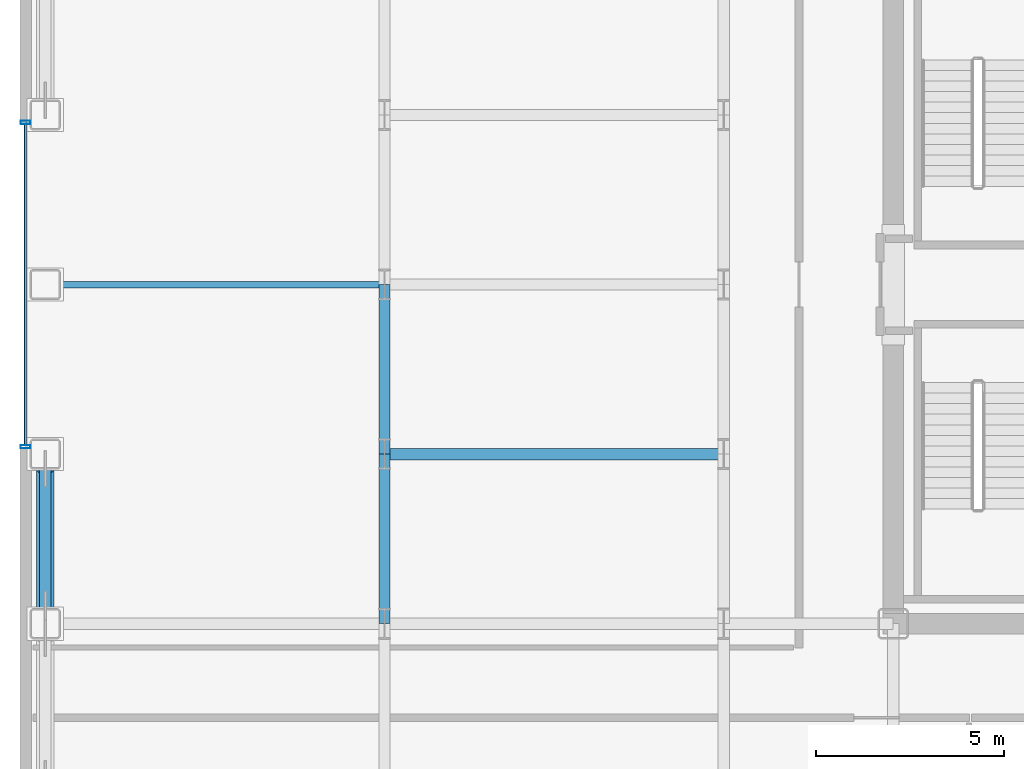
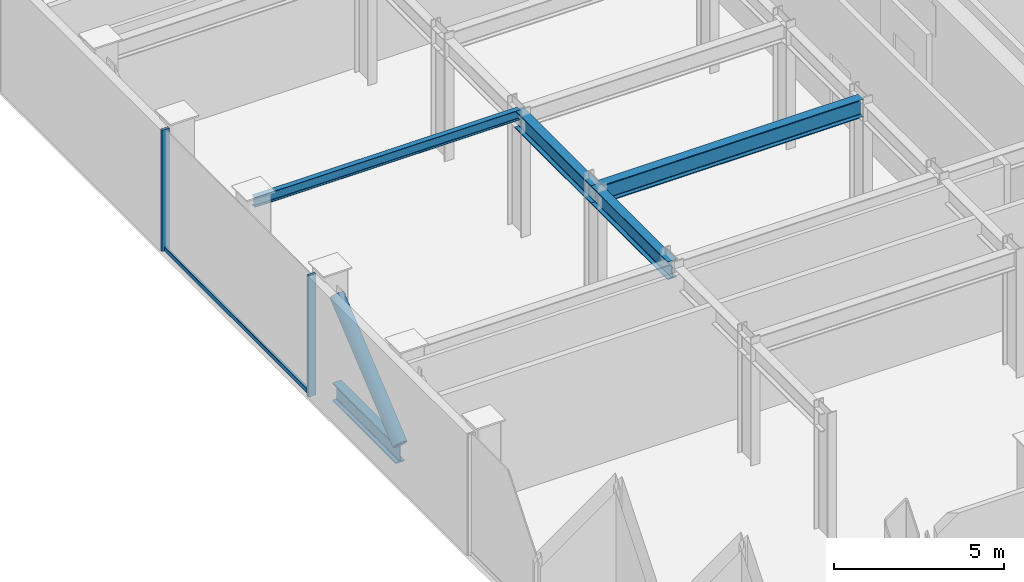
# One storey, part 6 of 26: 5 members, 4 beams, 1 element without a shape of its own.
"""IFC4 building model written with IfcOpenShell, lengths in metres."""

from ifc_helpers import new_model, si_unit, direction, frame, origin, origin_2d, place, context, subcontext, project, spatial, hollow_rectangle, hollow_circle, i_section, extrude, source, transform, mapped, material, layer, layer_set, material_profile, profile_set, type_object, element, aggregate, save


model = new_model("IFC4")

# Units and contexts
model_context = context("Model", 3, precision=1e-05, world=origin(), true_north=direction((0.0, 1.0)))
body_context = subcontext(model_context, "Body", "Model", "MODEL_VIEW")
ifc_project = project(units=[si_unit("LENGTHUNIT", "METRE"), si_unit("AREAUNIT", "SQUARE_METRE"), si_unit("VOLUMEUNIT", "CUBIC_METRE"), si_unit("PLANEANGLEUNIT", "RADIAN"), si_unit("MASSUNIT", "GRAM", prefix="KILO")], contexts=[model_context])

# Site, building, storey
site_placement = place(None, origin())
site = spatial("IfcSite", under=ifc_project, at=site_placement, CompositionType="ELEMENT")
building_placement = place(site_placement, origin())
building = spatial("IfcBuilding", under=site, at=building_placement, Name="Nefas-Gora Pilgrimage Tower", CompositionType="ELEMENT")
storey_placement = place(building_placement, frame((0.0, 0.0, 202.0)))
storey = spatial("IfcBuildingStorey", under=building, at=storey_placement, Name="L50", CompositionType="ELEMENT", Elevation=202.0)

# Beams
ifc_material_1 = material(Name="Steel S355", Category="steel")
ifc_material_profile_1 = material_profile(ifc_material_1, i_section(OverallWidth=0.300048828125, OverallDepth=0.64990234375, WebThickness=0.01611328125, FlangeThickness=0.031005859375, FilletRadius=0.027099609375, at=origin_2d()), Name="HEB 650")
ifc_profile_set_1 = profile_set([ifc_material_profile_1], Name="Steel S355")
beam_type_1 = type_object("IfcBeamType", Name="BM-GIR-HEB650", PredefinedType="BEAM", material=ifc_profile_set_1)
shared_shape_1 = source(origin(), body_context, "Body", "SweptSolid", [
    extrude(i_section(OverallWidth=0.300048828125, OverallDepth=0.64990234375, WebThickness=0.01611328125, FlangeThickness=0.031005859375, FilletRadius=0.027099609375, at=origin_2d()), origin(), (0.0, 0.0, 1.0), 9.0),
])
beam_1_placement = place(storey_placement, frame((-24.75, -4.5, 4.02490234375), z_axis=(1.0, 0.0, 0.0), x_axis=(0.0, 1.0, 0.0)))
element("IfcBeam", 1, at=beam_1_placement, inside=storey, type_object=beam_type_1, Name="L50 G-03 beam", PredefinedType="BEAM", context=body_context, shape_type="MappedRepresentation", body=[
    mapped(shared_shape_1, transform((0.0, 0.0, 0.0), x_axis=(1.0, 0.0, 0.0), y_axis=(0.0, 1.0, 0.0), z_axis=(0.0, 0.0, 1.0), scale=1.0)),
])
shared_shape_2 = source(origin(), body_context, "Body", "SweptSolid", [
    extrude(i_section(OverallWidth=0.300048828125, OverallDepth=0.64990234375, WebThickness=0.01611328125, FlangeThickness=0.031005859375, FilletRadius=0.027099609375, at=origin_2d()), origin(), (0.0, 0.0, 1.0), 4.5),
])
for number, where, z_axis, x_axis, name in (
    (2, (-24.75, -9.0, 4.02490234375), (0.0, 1.0, 0.0), (-1.0, 0.0, 0.0), "L50 G-03 beam"),
    (3, (-24.75, -4.5, 4.02490234375), (0.0, 1.0, 0.0), (-1.0, 0.0, 0.0), "L50 G-03 beam"),
):
    element("IfcBeam", number, at=place(storey_placement, frame(where, z_axis=z_axis, x_axis=x_axis)), inside=storey, type_object=beam_type_1, Name=name, PredefinedType="BEAM", context=body_context, shape_type="MappedRepresentation", body=[
        mapped(shared_shape_2, transform((0.0, 0.0, 0.0), x_axis=(1.0, 0.0, 0.0), y_axis=(0.0, 1.0, 0.0), z_axis=(0.0, 0.0, 1.0), scale=1.0)),
    ])
ifc_material_profile_2 = material_profile(ifc_material_1, i_section(OverallWidth=0.169921875, OverallDepth=0.360107421875, WebThickness=0.008056640625, FlangeThickness=0.0126953125, FilletRadius=0.01806640625, at=origin_2d()), Name="IPE 360")
ifc_profile_set_2 = profile_set([ifc_material_profile_2], Name="Steel S355")
beam_type_2 = type_object("IfcBeamType", Name="BM-JST-IPE360", PredefinedType="JOIST", material=ifc_profile_set_2)
shared_shape_3 = source(origin(), body_context, "Body", "SweptSolid", [
    extrude(i_section(OverallWidth=0.169921875, OverallDepth=0.360107421875, WebThickness=0.008056640625, FlangeThickness=0.0126953125, FilletRadius=0.01806640625, at=origin_2d()), origin(), (0.0, 0.0, 1.0), 9.0),
])
beam_2_placement = place(storey_placement, frame((-33.75, 0.0, 4.169921875), z_axis=(1.0, 0.0, 0.0), x_axis=(0.0, 1.0, 0.0)))
element("IfcBeam", 4, at=beam_2_placement, inside=storey, type_object=beam_type_2, Name="L50 J-03 beam", PredefinedType="JOIST", context=body_context, shape_type="MappedRepresentation", body=[
    mapped(shared_shape_3, transform((0.0, 0.0, 0.0), x_axis=(1.0, 0.0, 0.0), y_axis=(0.0, 1.0, 0.0), z_axis=(0.0, 0.0, 1.0), scale=1.0)),
])

# Members
ifc_material_2 = material(Name="Steel S460", Category="steel")
ifc_material_profile_3 = material_profile(ifc_material_2, hollow_circle(Radius=0.228515625, WallThickness=0.028076171875, at=origin_2d()), Name="CHS 457x28")
ifc_profile_set_3 = profile_set([ifc_material_profile_3], Name="Steel S460")
member_type_1 = type_object("IfcMemberType", Name="MEM-BELT-457", PredefinedType="BRACE", material=ifc_profile_set_3)
shared_shape_4 = source(origin(), body_context, "Body", "SweptSolid", [
    extrude(hollow_circle(Radius=0.228515625, WallThickness=0.028076171875, at=origin_2d()), origin(), (0.0, 0.0, 1.0), 4.84765625),
])
member_1_placement = place(storey_placement, frame((-33.75, -8.612060546875, 0.67333984375), z_axis=(0.0, 0.768237791814, 0.640164584485), x_axis=(-1.0, 0.0, 0.0)))
element("IfcMember", 5, at=member_1_placement, inside=storey, type_object=member_type_1, Name="L50 Perimeter Belt-Truss Diagonal 2", PredefinedType="BRACE", context=body_context, shape_type="MappedRepresentation", body=[
    mapped(shared_shape_4, transform((0.0, 0.0, 0.0), x_axis=(1.0, 0.0, 0.0), y_axis=(0.0, 1.0, 0.0), z_axis=(0.0, 0.0, 1.0), scale=1.0)),
])
ifc_material_profile_4 = material_profile(ifc_material_2, i_section(OverallWidth=0.300048828125, OverallDepth=0.64990234375, WebThickness=0.01611328125, FlangeThickness=0.031005859375, FilletRadius=0.027099609375, at=origin_2d()), Name="HEB 650")
ifc_profile_set_4 = profile_set([ifc_material_profile_4], Name="Steel S460")
member_type_2 = type_object("IfcMemberType", Name="MEM-BELT-CHORD", PredefinedType="CHORD", material=ifc_profile_set_4)
shared_shape_5 = source(origin(), body_context, "Body", "SweptSolid", [
    extrude(i_section(OverallWidth=0.300048828125, OverallDepth=0.64990234375, WebThickness=0.01611328125, FlangeThickness=0.031005859375, FilletRadius=0.027099609375, at=origin_2d()), origin(), (0.0, 0.0, 1.0), 3.72412109375),
])
member_2_placement = place(storey_placement, frame((-33.75, -8.612060546875, 0.35009765625), z_axis=(0.0, 1.0, 0.0), x_axis=(-1.0, 0.0, 0.0)))
element("IfcMember", 6, at=member_2_placement, inside=storey, type_object=member_type_2, Name="L50 Perimeter Belt-Truss Bottom Chord 2", PredefinedType="CHORD", context=body_context, shape_type="MappedRepresentation", body=[
    mapped(shared_shape_5, transform((0.0, 0.0, 0.0), x_axis=(1.0, 0.0, 0.0), y_axis=(0.0, 1.0, 0.0), z_axis=(0.0, 0.0, 1.0), scale=1.0)),
])

# Curtain wall, members
ifc_material_3 = material(Name="Dark ceramic-fritted solar-control aluminium-glass curtain wall", Category="aluminium")
ifc_layer = layer(ifc_material_3, 0.219970703125)
ifc_layer_set = layer_set([ifc_layer], Name="Dark ceramic-fritted solar-control aluminium-glass curtain wall")
curtain_wall_type = type_object("IfcCurtainWallType", Name="CW-SYS-3", PredefinedType="NOTDEFINED", material=ifc_layer_set)
curtain_wall_placement = place(storey_placement, origin())
curtain_wall = element("IfcCurtainWall", 7, at=curtain_wall_placement, inside=storey, type_object=curtain_wall_type, Name="L50 Unitised Curtain Wall CW3", PredefinedType="NOTDEFINED")
ifc_material_4 = material(Name="Anodised architectural aluminium", Category="aluminium")
ifc_material_profile_5 = material_profile(ifc_material_4, hollow_rectangle(XDim=0.080078125, YDim=0.159912109375, WallThickness=0.00439453125, InnerFilletRadius=0.00439453125, OuterFilletRadius=0.009033203125, at=origin_2d()), Name="ALU TRANSOM 80x160")
ifc_profile_set_5 = profile_set([ifc_material_profile_5], Name="Anodised architectural aluminium")
member_type_3 = type_object("IfcMemberType", Name="CWM-TRN-3", PredefinedType="USERDEFINED", material=ifc_profile_set_5)
shared_shape_6 = source(origin(), body_context, "Body", "SweptSolid", [
    extrude(hollow_rectangle(XDim=0.080078125, YDim=0.159912109375, WallThickness=0.00439453125, InnerFilletRadius=0.00439453125, OuterFilletRadius=0.009033203125, at=origin_2d()), origin(), (0.0, 0.0, 1.0), 8.52001953125),
])
member_3_placement = place(storey_placement, frame((-34.27001953125, 4.260009765625, 0.050048828125), z_axis=(0.0, -1.0, 0.0), x_axis=(1.0, 0.0, 0.0)))
member_3 = element("IfcMember", 8, at=member_3_placement, type_object=member_type_3, Name="CW3 Spandrel Transom", ObjectType="TRANSOM", PredefinedType="USERDEFINED", context=body_context, shape_type="MappedRepresentation", body=[
    mapped(shared_shape_6, transform((0.0, 0.0, 0.0), x_axis=(1.0, 0.0, 0.0), y_axis=(0.0, 1.0, 0.0), z_axis=(0.0, 0.0, 1.0), scale=1.0)),
])
ifc_material_profile_6 = material_profile(ifc_material_4, hollow_rectangle(XDim=0.090087890625, YDim=0.260009765625, WallThickness=0.006103515625, InnerFilletRadius=0.006103515625, OuterFilletRadius=0.011962890625, at=origin_2d()), Name="ALU MULLION 90x260")
ifc_profile_set_6 = profile_set([ifc_material_profile_6], Name="Anodised architectural aluminium")
member_type_4 = type_object("IfcMemberType", Name="CWM-MUL-3", PredefinedType="MULLION", material=ifc_profile_set_6)
shared_shape_7 = source(origin(), body_context, "Body", "SweptSolid", [
    extrude(hollow_rectangle(XDim=0.090087890625, YDim=0.260009765625, WallThickness=0.006103515625, InnerFilletRadius=0.006103515625, OuterFilletRadius=0.011962890625, at=origin_2d()), origin(), (0.0, 0.0, 1.0), 4.35009765625),
])
member_4_placement = place(storey_placement, frame((-34.27001953125, 4.304931640625, 0.0), z_axis=(0.0, 0.0, 1.0), x_axis=(0.0, -1.0, 0.0)))
member_4 = element("IfcMember", 9, at=member_4_placement, type_object=member_type_4, Name="CW3 Mullion 1", PredefinedType="MULLION", context=body_context, shape_type="MappedRepresentation", body=[
    mapped(shared_shape_7, transform((0.0, 0.0, 0.0), x_axis=(1.0, 0.0, 0.0), y_axis=(0.0, 1.0, 0.0), z_axis=(0.0, 0.0, 1.0), scale=1.0)),
])
member_5_placement = place(storey_placement, frame((-34.27001953125, -4.304931640625, 0.0), z_axis=(0.0, 0.0, 1.0), x_axis=(0.0, -1.0, 0.0)))
member_5 = element("IfcMember", 10, at=member_5_placement, type_object=member_type_4, Name="CW3 Mullion 2", PredefinedType="MULLION", context=body_context, shape_type="MappedRepresentation", body=[
    mapped(shared_shape_7, transform((0.0, 0.0, 0.0), x_axis=(1.0, 0.0, 0.0), y_axis=(0.0, 1.0, 0.0), z_axis=(0.0, 0.0, 1.0), scale=1.0)),
])
aggregate(curtain_wall, [member_4, member_5, member_3])

save(model, "model.ifc")
